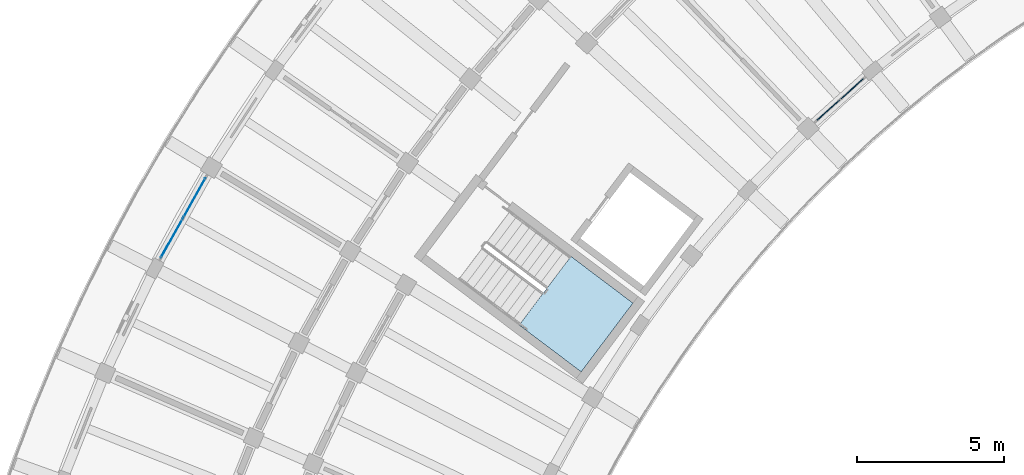
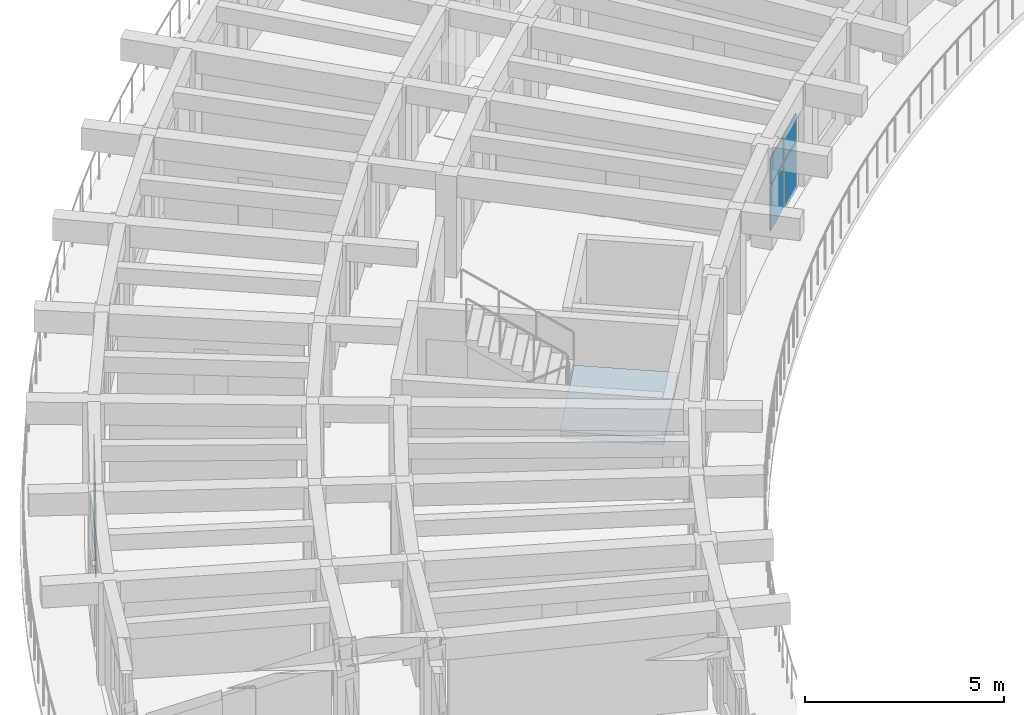
# One storey, part 31 of 78: 8 plates, 1 slab, 3 elements without a shape of their own.
"""IFC4 building model written with IfcOpenShell, lengths in metres."""

from ifc_helpers import new_model, si_unit, direction, frame, origin, origin_2d, place, context, subcontext, project, spatial, polyline, rectangle, outline, extrude, material, layer, layer_set, type_object, element, aggregate, save


model = new_model("IFC4")

# Units and contexts
model_context = context("Model", 3, precision=1e-05, world=origin(), true_north=direction((0.0, 1.0)))
body_context = subcontext(model_context, "Body", "Model", "MODEL_VIEW")
ifc_project = project(units=[si_unit("LENGTHUNIT", "METRE"), si_unit("AREAUNIT", "SQUARE_METRE"), si_unit("VOLUMEUNIT", "CUBIC_METRE"), si_unit("PLANEANGLEUNIT", "RADIAN"), si_unit("MASSUNIT", "GRAM", prefix="KILO")], contexts=[model_context])

# Site, building, storey
site_placement = place(None, origin())
site = spatial("IfcSite", under=ifc_project, at=site_placement, CompositionType="ELEMENT")
building_placement = place(site_placement, origin())
building = spatial("IfcBuilding", under=site, at=building_placement, Name="Tanwirah Colonnade Gardens", CompositionType="ELEMENT")
storey_placement = place(building_placement, frame((0.0, 0.0, 22.280029296875)))
storey = spatial("IfcBuildingStorey", under=building, at=storey_placement, Name="L06", CompositionType="ELEMENT", Elevation=22.280029296875)

# Curtain wall, plates
ifc_material_1 = material(Name="Bronze-anodised aluminium and solar-control low-E glass", Category="aluminium")
curtain_wall_type_1 = type_object("IfcCurtainWallType", Name="CW-GDN", PredefinedType="NOTDEFINED", material=ifc_material_1)
curtain_wall_1_placement = place(storey_placement, origin())
curtain_wall_1 = element("IfcCurtainWall", 1, at=curtain_wall_1_placement, inside=storey, type_object=curtain_wall_type_1, Name="Curtain Wall CW-A-L06-IN-09", PredefinedType="NOTDEFINED")
ifc_material_2 = material(Name="Solar-control low-E double glazing", Category="glass")
ifc_layer_1 = layer(ifc_material_2, 0.028076171875)
ifc_layer_set_1 = layer_set([ifc_layer_1], Name="Solar-control low-E double glazing")
plate_type = type_object("IfcPlateType", Name="CWP-GLZ28", PredefinedType="CURTAIN_PANEL", material=ifc_layer_set_1)
plate_1_placement = place(storey_placement, frame((35.737548828125, 93.63134765625, 0.06005859375), z_axis=(0.0, 0.0, 1.0), x_axis=(-0.744440162253, -0.667689182798, 0.0)))
plate_1 = element("IfcPlate", 2, at=plate_1_placement, type_object=plate_type, Name="CW-GDN panel 1.1", PredefinedType="CURTAIN_PANEL", context=body_context, shape_type="SweptSolid", body=[
    extrude(rectangle(XDim=1.01513671875, YDim=0.028076171875, at=origin_2d()), origin(), (0.0, 0.0, 1.0), 1.3701171875),
])
plate_2_placement = place(storey_placement, frame((35.737548828125, 93.63134765625, 1.490234375), z_axis=(0.0, 0.0, 1.0), x_axis=(-0.744440162253, -0.667689182798, 0.0)))
plate_2 = element("IfcPlate", 3, at=plate_2_placement, type_object=plate_type, Name="CW-GDN panel 1.2", PredefinedType="CURTAIN_PANEL", context=body_context, shape_type="SweptSolid", body=[
    extrude(rectangle(XDim=1.01513671875, YDim=0.028076171875, at=origin_2d()), origin(), (0.0, 0.0, 1.0), 0.804931640625),
])
plate_3_placement = place(storey_placement, frame((34.937255859375, 92.91357421875, 0.06005859375), z_axis=(0.0, 0.0, 1.0), x_axis=(-0.744440162253, -0.667689182798, 0.0)))
plate_3 = element("IfcPlate", 4, at=plate_3_placement, type_object=plate_type, Name="CW-GDN panel 2.1", PredefinedType="CURTAIN_PANEL", context=body_context, shape_type="SweptSolid", body=[
    extrude(rectangle(XDim=1.01513671875, YDim=0.028076171875, at=origin_2d()), origin(), (0.0, 0.0, 1.0), 1.3701171875),
])
plate_4_placement = place(storey_placement, frame((34.937255859375, 92.91357421875, 1.490234375), z_axis=(0.0, 0.0, 1.0), x_axis=(-0.744440162253, -0.667689182798, 0.0)))
plate_4 = element("IfcPlate", 5, at=plate_4_placement, type_object=plate_type, Name="CW-GDN panel 2.2", PredefinedType="CURTAIN_PANEL", context=body_context, shape_type="SweptSolid", body=[
    extrude(rectangle(XDim=1.01513671875, YDim=0.028076171875, at=origin_2d()), origin(), (0.0, 0.0, 1.0), 0.804931640625),
])
aggregate(curtain_wall_1, [plate_1, plate_2, plate_3, plate_4])

curtain_wall_type_2 = type_object("IfcCurtainWallType", Name="CW-LOB", PredefinedType="NOTDEFINED", material=ifc_material_1)
curtain_wall_2_placement = place(storey_placement, origin())
curtain_wall_2 = element("IfcCurtainWall", 6, at=curtain_wall_2_placement, inside=storey, type_object=curtain_wall_type_2, Name="Curtain Wall CW-A-L06-OUT-14", PredefinedType="NOTDEFINED")
plate_5_placement = place(storey_placement, frame((13.44091796875, 89.942626953125, 0.06005859375), z_axis=(0.0, 0.0, 1.0), x_axis=(-0.488198852899, -0.872732421781, 0.0)))
plate_5 = element("IfcPlate", 7, at=plate_5_placement, type_object=plate_type, Name="CW-LOB panel 1.1", PredefinedType="CURTAIN_PANEL", context=body_context, shape_type="SweptSolid", body=[
    extrude(rectangle(XDim=1.512939453125, YDim=0.028076171875, at=origin_2d()), origin(), (0.0, 0.0, 1.0), 1.3701171875),
])
plate_6_placement = place(storey_placement, frame((13.44091796875, 89.942626953125, 1.490234375), z_axis=(0.0, 0.0, 1.0), x_axis=(-0.488198852899, -0.872732421781, 0.0)))
plate_6 = element("IfcPlate", 8, at=plate_6_placement, type_object=plate_type, Name="CW-LOB panel 1.2", PredefinedType="CURTAIN_PANEL", context=body_context, shape_type="SweptSolid", body=[
    extrude(rectangle(XDim=1.512939453125, YDim=0.028076171875, at=origin_2d()), origin(), (0.0, 0.0, 1.0), 0.804931640625),
])
plate_7_placement = place(storey_placement, frame((12.673095703125, 88.570068359375, 0.06005859375), z_axis=(0.0, 0.0, 1.0), x_axis=(-0.488198852899, -0.872732421781, 0.0)))
plate_7 = element("IfcPlate", 9, at=plate_7_placement, type_object=plate_type, Name="CW-LOB panel 2.1", PredefinedType="CURTAIN_PANEL", context=body_context, shape_type="SweptSolid", body=[
    extrude(rectangle(XDim=1.512939453125, YDim=0.028076171875, at=origin_2d()), origin(), (0.0, 0.0, 1.0), 1.3701171875),
])
plate_8_placement = place(storey_placement, frame((12.673095703125, 88.570068359375, 1.490234375), z_axis=(0.0, 0.0, 1.0), x_axis=(-0.488198852899, -0.872732421781, 0.0)))
plate_8 = element("IfcPlate", 10, at=plate_8_placement, type_object=plate_type, Name="CW-LOB panel 2.2", PredefinedType="CURTAIN_PANEL", context=body_context, shape_type="SweptSolid", body=[
    extrude(rectangle(XDim=1.512939453125, YDim=0.028076171875, at=origin_2d()), origin(), (0.0, 0.0, 1.0), 0.804931640625),
])
aggregate(curtain_wall_2, [plate_5, plate_6, plate_7, plate_8])

# Stair, slab
ifc_material_3 = material(Name="Precast concrete C40/50", Category="concrete")
stair_type = type_object("IfcStairType", Name="ST-RES168", PredefinedType="HALF_TURN_STAIR", material=ifc_material_3)
stair_placement = place(storey_placement, origin())
stair = element("IfcStair", 11, at=stair_placement, inside=storey, type_object=stair_type, Name="L06 Block A Core 2 Exit Stair", PredefinedType="HALF_TURN_STAIR")
ifc_layer_2 = layer(ifc_material_3, 0.205078125)
ifc_layer_set_2 = layer_set([ifc_layer_2], Name="Precast concrete C40/50")
slab_type = type_object("IfcSlabType", Name="SL-LND-205", PredefinedType="LANDING", material=ifc_layer_set_2)
slab_placement = place(storey_placement, frame((0.0, 0.0, 1.474853515625)))
slab = element("IfcSlab", 12, at=slab_placement, type_object=slab_type, Name="ST-A2 landing 1", PredefinedType="LANDING", context=body_context, shape_type="SweptSolid", body=[
    extrude(outline(polyline([(24.44970703125, 85.623046875), (26.553955078125, 84.037353515625), (28.311279296875, 86.369384765625), (26.20703125, 87.955078125), (24.44970703125, 85.623046875)])), origin(), (0.0, 0.0, 1.0), 0.205078125),
])
aggregate(stair, [slab])

save(model, "model.ifc")
